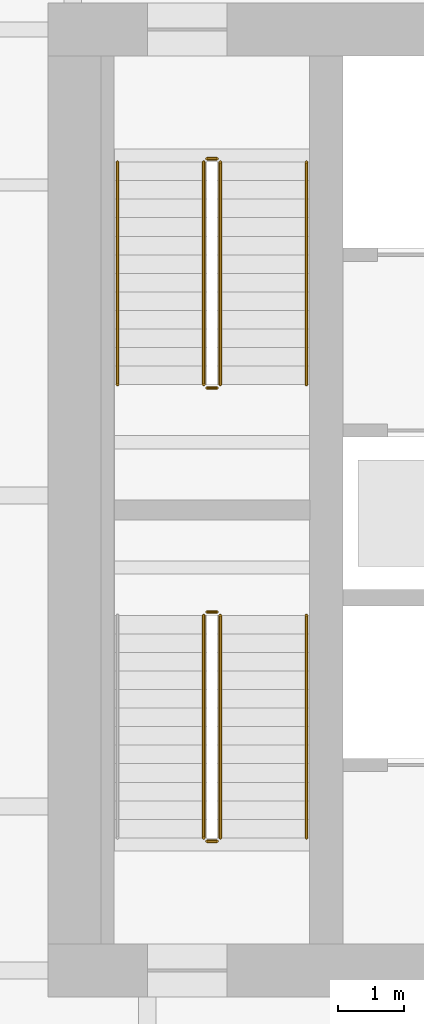
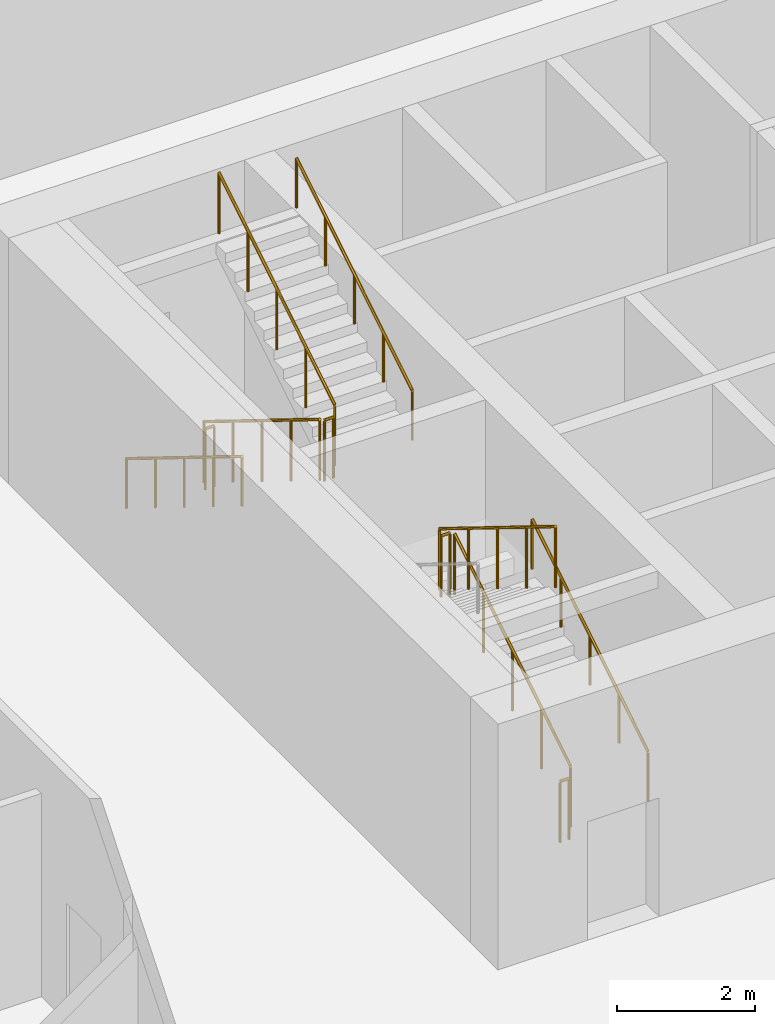
# One storey, part 19 of 27: 11 railings.
"""IFC4 building model written with IfcOpenShell, lengths in metres."""

from ifc_helpers import new_model, si_unit, direction, frame, origin, origin_2d, place, context, subcontext, project, spatial, circle, extrude, material, type_object, element, save


model = new_model("IFC4")

# Units and contexts
model_context = context("Model", 3, precision=1e-05, world=origin(), true_north=direction((0.0, 1.0)))
body_context = subcontext(model_context, "Body", "Model", "MODEL_VIEW")
ifc_project = project(units=[si_unit("LENGTHUNIT", "METRE"), si_unit("AREAUNIT", "SQUARE_METRE"), si_unit("VOLUMEUNIT", "CUBIC_METRE"), si_unit("PLANEANGLEUNIT", "RADIAN"), si_unit("MASSUNIT", "GRAM", prefix="KILO")], contexts=[model_context])

# Site, building, storey
site_placement = place(None, origin())
site = spatial("IfcSite", under=ifc_project, at=site_placement, CompositionType="ELEMENT")
building_placement = place(site_placement, origin())
building = spatial("IfcBuilding", under=site, at=building_placement, Name="Isthmus Gate Tower", CompositionType="ELEMENT")
storey_placement = place(building_placement, frame((0.0, 0.0, 121.64990234375)))
storey = spatial("IfcBuildingStorey", under=building, at=storey_placement, Name="L29", CompositionType="ELEMENT", Elevation=121.64990234375)

# Railings
ifc_material_1 = material(Name="Stainless steel balustrade", Category="steel")
railing_type_1 = type_object("IfcRailingType", Name="STAIR GUARD 1100", PredefinedType="GUARDRAIL", material=ifc_material_1)
railing_1_placement = place(storey_placement, frame((-12.64990234375, 12.60009765625, 0.173095703125)))
element("IfcRailing", 1, at=railing_1_placement, inside=storey, type_object=railing_type_1, Name="L29 ST1 stair guard 1", PredefinedType="GUARDRAIL", context=body_context, shape_type="SweptSolid", body=[
    extrude(circle(Radius=0.02392578125, at=origin_2d()), frame((0.0, 0.0, 1.076171875), z_axis=(0.0, -0.850623216509, 0.525775754039), x_axis=(1.0, 0.0, 0.0)), (0.0, 0.0, 1.0), 3.9501953125),
    extrude(circle(Radius=0.02099609375, at=origin_2d()), origin(), (0.0, 0.0, 1.0), 1.052001953125),
    extrude(circle(Radius=0.02099609375, at=origin_2d()), frame((0.0, -0.840087890625, 0.519287109375)), (0.0, 0.0, 1.0), 1.052001953125),
    extrude(circle(Radius=0.02099609375, at=origin_2d()), frame((0.0, -1.68017578125, 1.03857421875)), (0.0, 0.0, 1.0), 1.052001953125),
    extrude(circle(Radius=0.02099609375, at=origin_2d()), frame((0.0, -2.52001953125, 1.5576171875)), (0.0, 0.0, 1.0), 1.052001953125),
    extrude(circle(Radius=0.02099609375, at=origin_2d()), frame((0.0, -3.360107421875, 2.076904296875)), (0.0, 0.0, 1.0), 1.052001953125),
])
railing_2_placement = place(storey_placement, frame((-12.60009765625, 9.18994140625, 2.25)))
element("IfcRailing", 2, at=railing_2_placement, inside=storey, type_object=railing_type_1, Name="L29 ST1 stair guard 2", PredefinedType="GUARDRAIL", context=body_context, shape_type="SweptSolid", body=[
    extrude(circle(Radius=0.02392578125, at=origin_2d()), frame((0.0, 0.0, 1.076171875), z_axis=(1.0, 0.0, 0.0), x_axis=(0.0, 1.0, 0.0)), (0.0, 0.0, 1.0), 0.150146484375),
    extrude(circle(Radius=0.02099609375, at=origin_2d()), origin(), (0.0, 0.0, 1.0), 1.052001953125),
    extrude(circle(Radius=0.02099609375, at=origin_2d()), frame((0.150146484375, 0.0, 0.0)), (0.0, 0.0, 1.0), 1.052001953125),
])
railing_3_placement = place(storey_placement, frame((-12.39990234375, 9.239990234375, 2.423095703125)))
element("IfcRailing", 3, at=railing_3_placement, inside=storey, type_object=railing_type_1, Name="L29 ST1 stair guard 3", PredefinedType="GUARDRAIL", context=body_context, shape_type="SweptSolid", body=[
    extrude(circle(Radius=0.02392578125, at=origin_2d()), frame((0.0, 0.0, 1.076171875), z_axis=(0.0, 0.850623216509, 0.525775754039), x_axis=(-1.0, 0.0, 0.0)), (0.0, 0.0, 1.0), 3.9501953125),
    extrude(circle(Radius=0.02099609375, at=origin_2d()), origin(), (0.0, 0.0, 1.0), 1.052001953125),
    extrude(circle(Radius=0.02099609375, at=origin_2d()), frame((0.0, 0.840087890625, 0.519287109375)), (0.0, 0.0, 1.0), 1.052001953125),
    extrude(circle(Radius=0.02099609375, at=origin_2d()), frame((0.0, 1.68017578125, 1.03857421875)), (0.0, 0.0, 1.0), 1.052001953125),
    extrude(circle(Radius=0.02099609375, at=origin_2d()), frame((0.0, 2.52001953125, 1.5576171875)), (0.0, 0.0, 1.0), 1.052001953125),
    extrude(circle(Radius=0.02099609375, at=origin_2d()), frame((0.0, 3.360107421875, 2.076904296875)), (0.0, 0.0, 1.0), 1.052001953125),
])
railing_4_placement = place(storey_placement, frame((-12.60009765625, 12.64990234375, 0.0)))
element("IfcRailing", 4, at=railing_4_placement, inside=storey, type_object=railing_type_1, Name="L29 ST1 stair guard 4", PredefinedType="GUARDRAIL", context=body_context, shape_type="SweptSolid", body=[
    extrude(circle(Radius=0.02392578125, at=origin_2d()), frame((0.0, 0.0, 1.076171875), z_axis=(1.0, 0.0, 0.0), x_axis=(0.0, 1.0, 0.0)), (0.0, 0.0, 1.0), 0.150146484375),
    extrude(circle(Radius=0.02099609375, at=origin_2d()), origin(), (0.0, 0.0, 1.0), 1.052001953125),
    extrude(circle(Radius=0.02099609375, at=origin_2d()), frame((0.150146484375, 0.0, 0.0)), (0.0, 0.0, 1.0), 1.052001953125),
])
railing_5_placement = place(storey_placement, frame((-12.39990234375, 2.39990234375, 0.173095703125)))
element("IfcRailing", 5, at=railing_5_placement, inside=storey, type_object=railing_type_1, Name="L29 ST7 stair guard 1", PredefinedType="GUARDRAIL", context=body_context, shape_type="SweptSolid", body=[
    extrude(circle(Radius=0.02392578125, at=origin_2d()), frame((0.0, 0.0, 1.076171875), z_axis=(0.0, 0.850623216509, 0.525775754039), x_axis=(-1.0, 0.0, 0.0)), (0.0, 0.0, 1.0), 3.9501953125),
    extrude(circle(Radius=0.02099609375, at=origin_2d()), origin(), (0.0, 0.0, 1.0), 1.052001953125),
    extrude(circle(Radius=0.02099609375, at=origin_2d()), frame((0.0, 0.840087890625, 0.519287109375)), (0.0, 0.0, 1.0), 1.052001953125),
    extrude(circle(Radius=0.02099609375, at=origin_2d()), frame((0.0, 1.68017578125, 1.03857421875)), (0.0, 0.0, 1.0), 1.052001953125),
    extrude(circle(Radius=0.02099609375, at=origin_2d()), frame((0.0, 2.52001953125, 1.5576171875)), (0.0, 0.0, 1.0), 1.052001953125),
    extrude(circle(Radius=0.02099609375, at=origin_2d()), frame((0.0, 3.360107421875, 2.076904296875)), (0.0, 0.0, 1.0), 1.052001953125),
])
railing_6_placement = place(storey_placement, frame((-12.449951171875, 5.81005859375, 2.25)))
element("IfcRailing", 6, at=railing_6_placement, inside=storey, type_object=railing_type_1, Name="L29 ST7 stair guard 2", PredefinedType="GUARDRAIL", context=body_context, shape_type="SweptSolid", body=[
    extrude(circle(Radius=0.02392578125, at=origin_2d()), frame((0.0, 0.0, 1.076171875), z_axis=(-1.0, 0.0, 0.0), x_axis=(0.0, -1.0, 0.0)), (0.0, 0.0, 1.0), 0.150146484375),
    extrude(circle(Radius=0.02099609375, at=origin_2d()), origin(), (0.0, 0.0, 1.0), 1.052001953125),
    extrude(circle(Radius=0.02099609375, at=origin_2d()), frame((-0.150146484375, 0.0, 0.0)), (0.0, 0.0, 1.0), 1.052001953125),
])
railing_7_placement = place(storey_placement, frame((-12.64990234375, 5.760009765625, 2.423095703125)))
element("IfcRailing", 7, at=railing_7_placement, inside=storey, type_object=railing_type_1, Name="L29 ST7 stair guard 3", PredefinedType="GUARDRAIL", context=body_context, shape_type="SweptSolid", body=[
    extrude(circle(Radius=0.02392578125, at=origin_2d()), frame((0.0, 0.0, 1.076171875), z_axis=(0.0, -0.850623216509, 0.525775754039), x_axis=(1.0, 0.0, 0.0)), (0.0, 0.0, 1.0), 3.9501953125),
    extrude(circle(Radius=0.02099609375, at=origin_2d()), origin(), (0.0, 0.0, 1.0), 1.052001953125),
    extrude(circle(Radius=0.02099609375, at=origin_2d()), frame((0.0, -0.840087890625, 0.519287109375)), (0.0, 0.0, 1.0), 1.052001953125),
    extrude(circle(Radius=0.02099609375, at=origin_2d()), frame((0.0, -1.68017578125, 1.03857421875)), (0.0, 0.0, 1.0), 1.052001953125),
    extrude(circle(Radius=0.02099609375, at=origin_2d()), frame((0.0, -2.52001953125, 1.5576171875)), (0.0, 0.0, 1.0), 1.052001953125),
    extrude(circle(Radius=0.02099609375, at=origin_2d()), frame((0.0, -3.360107421875, 2.076904296875)), (0.0, 0.0, 1.0), 1.052001953125),
])
railing_8_placement = place(storey_placement, frame((-12.449951171875, 2.35009765625, 0.0)))
element("IfcRailing", 8, at=railing_8_placement, inside=storey, type_object=railing_type_1, Name="L29 ST7 stair guard 4", PredefinedType="GUARDRAIL", context=body_context, shape_type="SweptSolid", body=[
    extrude(circle(Radius=0.02392578125, at=origin_2d()), frame((0.0, 0.0, 1.076171875), z_axis=(-1.0, 0.0, 0.0), x_axis=(0.0, -1.0, 0.0)), (0.0, 0.0, 1.0), 0.150146484375),
    extrude(circle(Radius=0.02099609375, at=origin_2d()), origin(), (0.0, 0.0, 1.0), 1.052001953125),
    extrude(circle(Radius=0.02099609375, at=origin_2d()), frame((-0.150146484375, 0.0, 0.0)), (0.0, 0.0, 1.0), 1.052001953125),
])
ifc_material_2 = material(Name="Stainless steel handrail", Category="steel")
railing_type_2 = type_object("IfcRailingType", Name="STAIR HANDRAIL 900", PredefinedType="HANDRAIL", material=ifc_material_2)
railing_9_placement = place(storey_placement, frame((-13.949951171875, 12.60009765625, 0.173095703125)))
element("IfcRailing", 9, at=railing_9_placement, inside=storey, type_object=railing_type_2, Name="L29 ST1 stair handrail 1", PredefinedType="HANDRAIL", context=body_context, shape_type="SweptSolid", body=[
    extrude(circle(Radius=0.02392578125, at=origin_2d()), frame((0.0, 0.0, 0.8759765625), z_axis=(0.0, -0.850623216509, 0.525775754039), x_axis=(1.0, 0.0, 0.0)), (0.0, 0.0, 1.0), 3.9501953125),
    extrude(circle(Radius=0.02099609375, at=origin_2d()), origin(), (0.0, 0.0, 1.0), 0.851806640625),
    extrude(circle(Radius=0.02099609375, at=origin_2d()), frame((0.0, -0.840087890625, 0.519287109375)), (0.0, 0.0, 1.0), 0.851806640625),
    extrude(circle(Radius=0.02099609375, at=origin_2d()), frame((0.0, -1.68017578125, 1.03857421875)), (0.0, 0.0, 1.0), 0.851806640625),
    extrude(circle(Radius=0.02099609375, at=origin_2d()), frame((0.0, -2.52001953125, 1.5576171875)), (0.0, 0.0, 1.0), 0.851806640625),
    extrude(circle(Radius=0.02099609375, at=origin_2d()), frame((0.0, -3.360107421875, 2.076904296875)), (0.0, 0.0, 1.0), 0.851806640625),
])
for number, where, name in (
    (10, (-11.10009765625, 9.239990234375, 2.423095703125), "L29 ST1 stair handrail 2"),
    (11, (-11.10009765625, 2.39990234375, 0.173095703125), "L29 ST7 stair handrail 1"),
):
    element("IfcRailing", number, at=place(storey_placement, frame(where)), inside=storey, type_object=railing_type_2, Name=name, PredefinedType="HANDRAIL", context=body_context, shape_type="SweptSolid", body=[
        extrude(circle(Radius=0.02392578125, at=origin_2d()), frame((0.0, 0.0, 0.8759765625), z_axis=(0.0, 0.850623216509, 0.525775754039), x_axis=(-1.0, 0.0, 0.0)), (0.0, 0.0, 1.0), 3.9501953125),
        extrude(circle(Radius=0.02099609375, at=origin_2d()), origin(), (0.0, 0.0, 1.0), 0.851806640625),
        extrude(circle(Radius=0.02099609375, at=origin_2d()), frame((0.0, 0.840087890625, 0.519287109375)), (0.0, 0.0, 1.0), 0.851806640625),
        extrude(circle(Radius=0.02099609375, at=origin_2d()), frame((0.0, 1.68017578125, 1.03857421875)), (0.0, 0.0, 1.0), 0.851806640625),
        extrude(circle(Radius=0.02099609375, at=origin_2d()), frame((0.0, 2.52001953125, 1.5576171875)), (0.0, 0.0, 1.0), 0.851806640625),
        extrude(circle(Radius=0.02099609375, at=origin_2d()), frame((0.0, 3.360107421875, 2.076904296875)), (0.0, 0.0, 1.0), 0.851806640625),
    ])

save(model, "model.ifc")
